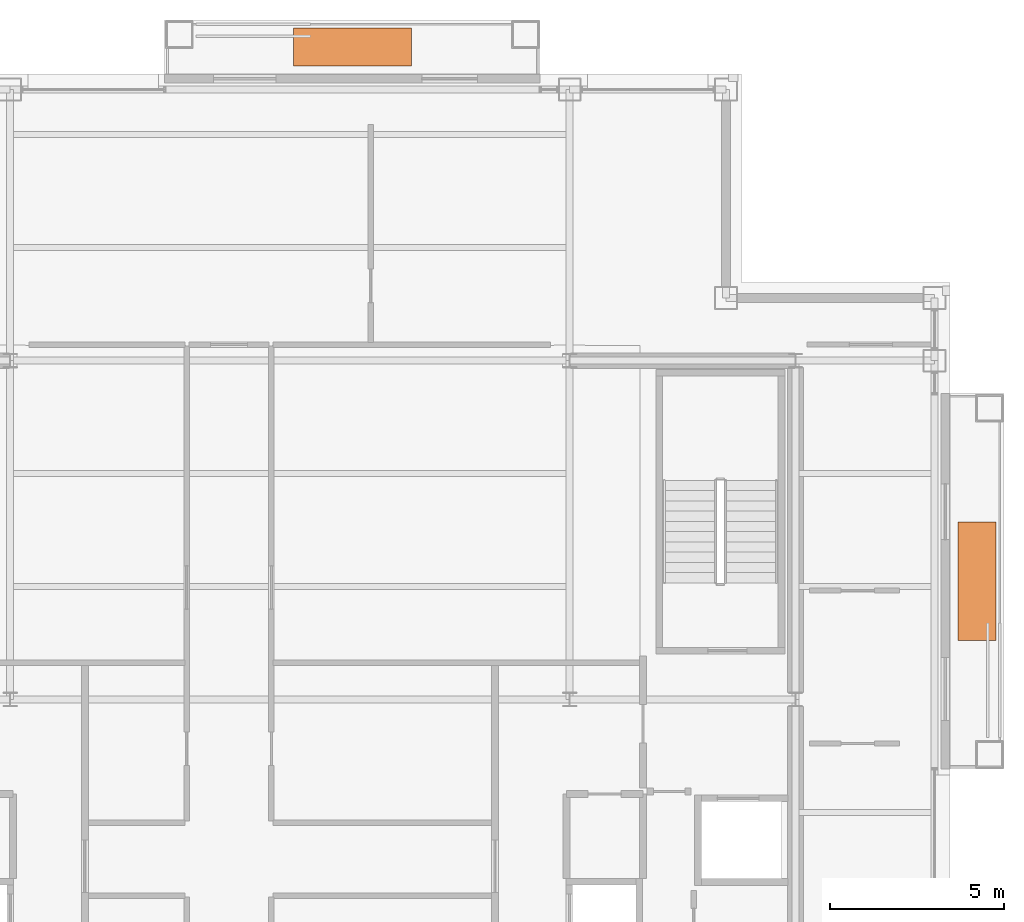
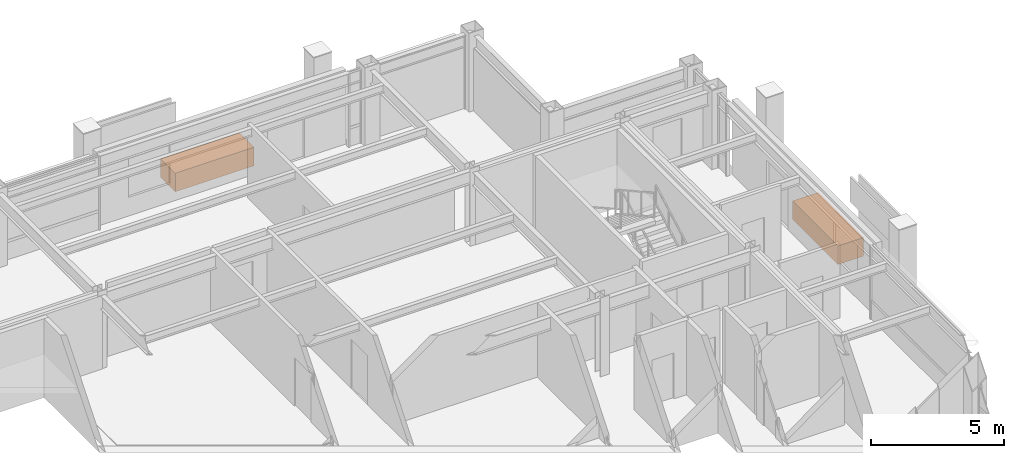
# One storey, part 24 of 24: 2 proxies.
"""IFC4 building model written with IfcOpenShell, lengths in metres."""

from ifc_helpers import new_model, si_unit, direction, frame, origin, origin_2d, place, context, subcontext, project, spatial, rectangle, extrude, material, type_object, element, save


model = new_model("IFC4")

# Units and contexts
model_context = context("Model", 3, precision=1e-05, world=origin(), true_north=direction((0.0, 1.0)))
body_context = subcontext(model_context, "Body", "Model", "MODEL_VIEW")
ifc_project = project(units=[si_unit("LENGTHUNIT", "METRE"), si_unit("AREAUNIT", "SQUARE_METRE"), si_unit("VOLUMEUNIT", "CUBIC_METRE"), si_unit("PLANEANGLEUNIT", "RADIAN"), si_unit("MASSUNIT", "GRAM", prefix="KILO")], contexts=[model_context])

# Site, building, storey
site_placement = place(None, origin())
site = spatial("IfcSite", under=ifc_project, at=site_placement, CompositionType="ELEMENT")
building_placement = place(site_placement, origin())
building = spatial("IfcBuilding", under=site, at=building_placement, Name="Brelmoor Portico Tower", CompositionType="ELEMENT")
storey_placement = place(building_placement, frame((0.0, 0.0, 232.800048828125)))
storey = spatial("IfcBuildingStorey", under=building, at=storey_placement, Name="L61", CompositionType="ELEMENT", Elevation=232.800048828125)

# Proxies
ifc_material = material(Name="Architectural Precast Concrete C40", Category="concrete")
building_element_proxy_type = type_object("IfcBuildingElementProxyType", Name="TREE PLANTER", PredefinedType="USERDEFINED", material=ifc_material)
for number, where, z_axis, x_axis, name in (
    (1, (1.800048828125, 18.77490234375, 0.0), (0.0, 0.0, 1.0), (1.0, 0.0, 0.0), "L61 Planted Tree Planter N"),
    (2, (19.77490234375, 3.39990234375, 0.0), (0.0, 0.0, 1.0), (0.0, 1.0, 0.0), "L61 Planted Tree Planter E"),
):
    element("IfcBuildingElementProxy", number, at=place(storey_placement, frame(where, z_axis=z_axis, x_axis=x_axis)), inside=storey, type_object=building_element_proxy_type, Name=name, ObjectType="PLANTER", PredefinedType="USERDEFINED", context=body_context, shape_type="SweptSolid", body=[
        extrude(rectangle(XDim=3.39990234375, YDim=1.10009765625, at=origin_2d()), origin(), (0.0, 0.0, 1.0), 0.85009765625),
    ])

save(model, "model.ifc")
